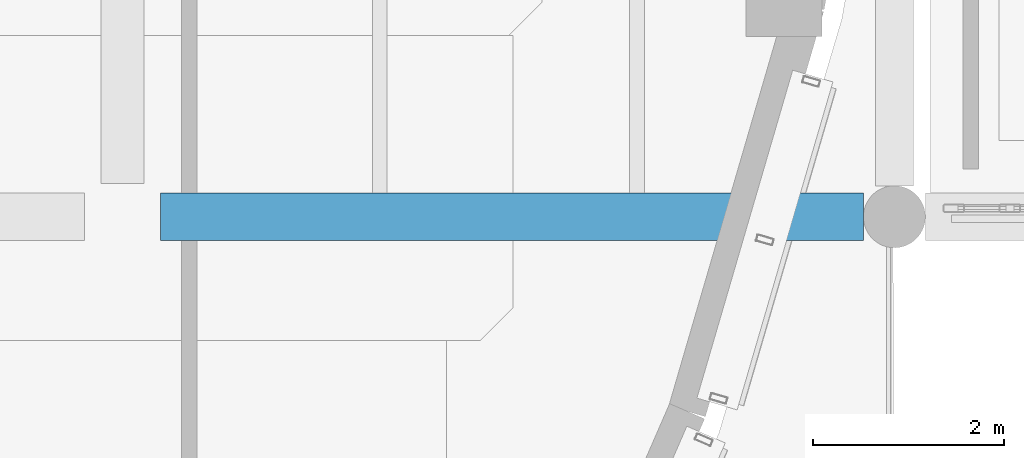
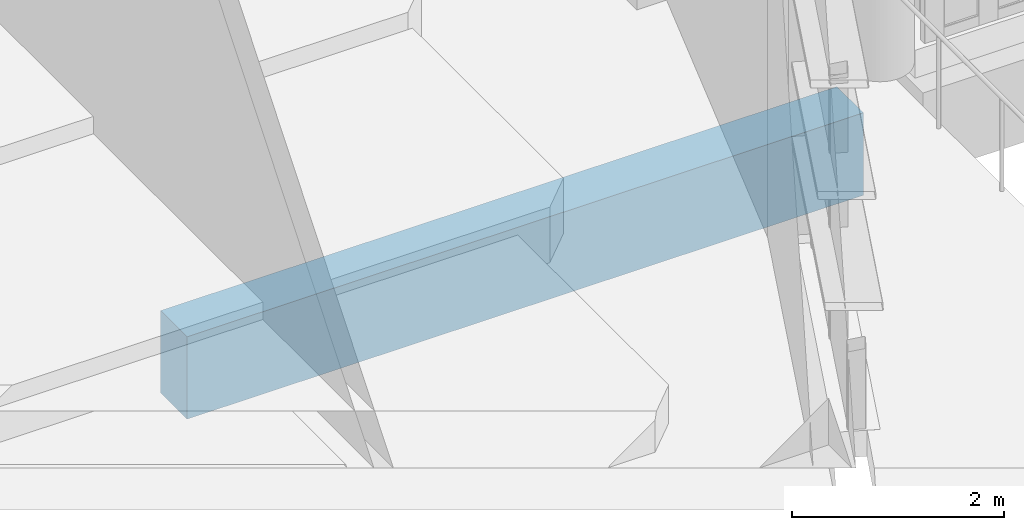
# One storey, part 106 of 372: 1 beam.
"""IFC4 building model written with IfcOpenShell, lengths in metres."""

from ifc_helpers import new_model, si_unit, direction, frame, origin, origin_2d, place, context, subcontext, project, spatial, rectangle, extrude, material, material_profile, profile_set, type_object, element, save


model = new_model("IFC4")

# Units and contexts
model_context = context("Model", 3, precision=1e-05, world=origin(), true_north=direction((0.0, 1.0)))
body_context = subcontext(model_context, "Body", "Model", "MODEL_VIEW")
ifc_project = project(units=[si_unit("LENGTHUNIT", "METRE"), si_unit("AREAUNIT", "SQUARE_METRE"), si_unit("VOLUMEUNIT", "CUBIC_METRE"), si_unit("PLANEANGLEUNIT", "RADIAN"), si_unit("MASSUNIT", "GRAM", prefix="KILO")], contexts=[model_context])

# Site, building, storey
site_placement = place(None, origin())
site = spatial("IfcSite", under=ifc_project, at=site_placement, CompositionType="ELEMENT")
building_placement = place(site_placement, origin())
building = spatial("IfcBuilding", under=site, at=building_placement, Name="Kaelora Sail Theatre", CompositionType="ELEMENT")
storey_placement = place(building_placement, origin())
storey = spatial("IfcBuildingStorey", under=building, at=storey_placement, Name="L00", CompositionType="ELEMENT", Elevation=0.0)

# Beam
ifc_material = material(Name="Concrete C45/55", Category="concrete")
ifc_material_profile = material_profile(ifc_material, rectangle(XDim=0.5, YDim=0.949951171875, at=origin_2d()), Name="RC-GRD 500x950")
ifc_profile_set = profile_set([ifc_material_profile], Name="Concrete C45/55")
beam_type = type_object("IfcBeamType", Name="STR-BM-GR-RC5095", PredefinedType="T_BEAM", material=ifc_profile_set)
beam_placement = place(storey_placement, frame((50.5, 38.699951171875, -0.794921875), z_axis=(1.0, 0.0, 0.0), x_axis=(0.0, 1.0, 0.0)))
element("IfcBeam", 1, at=beam_placement, inside=storey, type_object=beam_type, Name="Primary beam F 7-8 (L00)", PredefinedType="T_BEAM", context=body_context, shape_type="SweptSolid", body=[
    extrude(rectangle(XDim=0.5, YDim=0.949951171875, at=origin_2d()), origin(), (0.0, 0.0, 1.0), 7.375),
])

save(model, "model.ifc")
